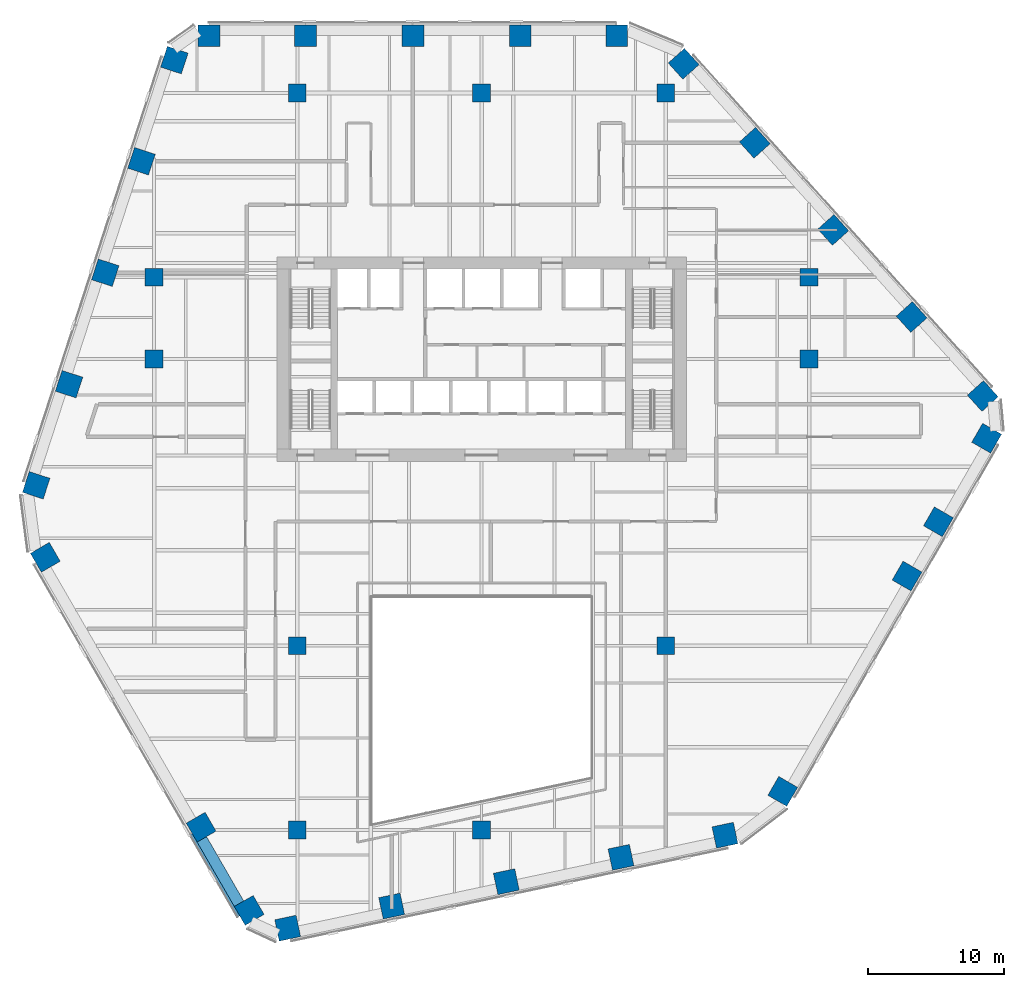
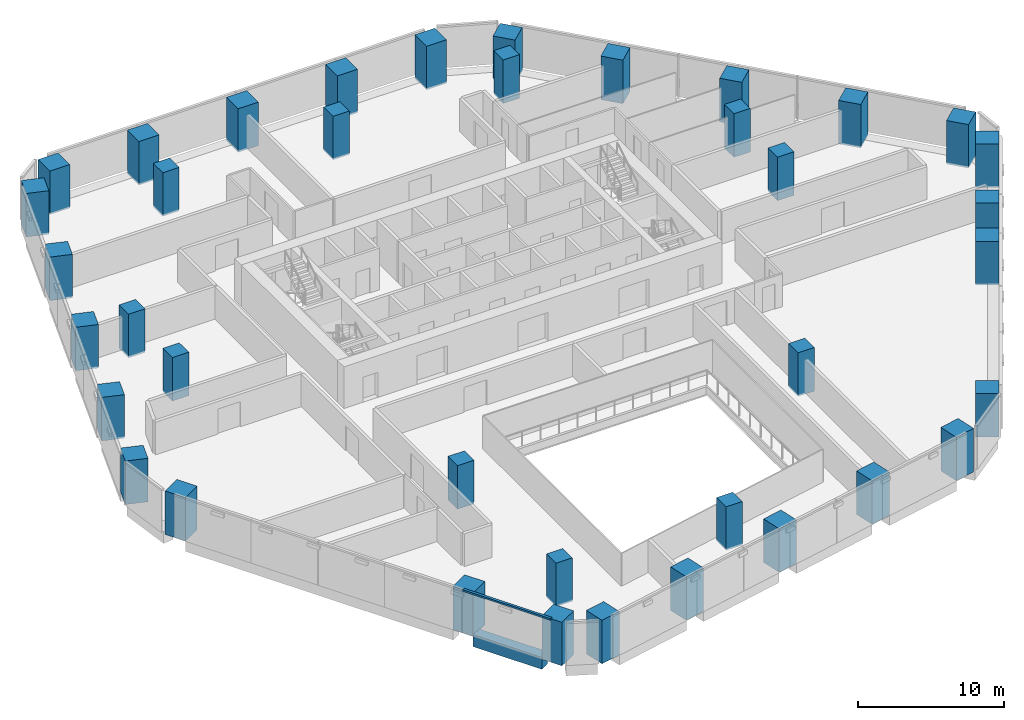
# One storey, part 1 of 21: 38 columns, 1 beam, 1 member, 1 element without a shape of its own.
"""IFC4 building model written with IfcOpenShell, lengths in metres."""

from ifc_helpers import new_model, si_unit, direction, frame, origin, origin_2d, place, context, subcontext, project, spatial, rectangle, extrude, material, layer, layer_set, material_profile, profile_set, type_object, element, aggregate, save


model = new_model("IFC4")

# Units and contexts
model_context = context("Model", 3, precision=1e-05, world=origin(), true_north=direction((0.0, 1.0)))
body_context = subcontext(model_context, "Body", "Model", "MODEL_VIEW")
ifc_project = project(units=[si_unit("LENGTHUNIT", "METRE"), si_unit("AREAUNIT", "SQUARE_METRE"), si_unit("VOLUMEUNIT", "CUBIC_METRE"), si_unit("PLANEANGLEUNIT", "RADIAN"), si_unit("MASSUNIT", "GRAM", prefix="KILO")], contexts=[model_context])

# Site, building, storey
site_placement = place(None, origin())
site = spatial("IfcSite", under=ifc_project, at=site_placement, CompositionType="ELEMENT")
building_placement = place(site_placement, origin())
building = spatial("IfcBuilding", under=site, at=building_placement, Name="Isthmus Gate Tower", CompositionType="ELEMENT")
storey_placement = place(building_placement, frame((0.0, 0.0, 109.85009765625)))
storey = spatial("IfcBuildingStorey", under=building, at=storey_placement, Name="L26", CompositionType="ELEMENT", Elevation=109.85009765625)

# Columns
ifc_material_1 = material(Name="Concrete f'c 70 MPa", Category="concrete")
ifc_material_profile_1 = material_profile(ifc_material_1, rectangle(XDim=1.300048828125, YDim=1.300048828125, at=origin_2d()), Name="RC 1300X1300")
ifc_profile_set_1 = profile_set([ifc_material_profile_1], Name="Concrete f'c 70 MPa")
column_type_1 = type_object("IfcColumnType", Name="RC INTERIOR COLUMN 1300 X 1300", PredefinedType="COLUMN", material=ifc_profile_set_1)
for number, where, z_axis, x_axis, name in (
    (1, (-24.0, 7.5, -0.150146484375), (0.0, 0.0, 1.0), (1.0, 0.0, 0.0), "str-icol-L26-ICA3"),
    (2, (-24.0, 13.5, -0.150146484375), (0.0, 0.0, 1.0), (1.0, 0.0, 0.0), "str-icol-L26-ICA4"),
    (3, (-13.5, -27.0, -0.150146484375), (0.0, 0.0, 1.0), (1.0, 0.0, 0.0), "str-icol-L26-ICB1"),
    (4, (-13.5, -13.5, -0.150146484375), (0.0, 0.0, 1.0), (1.0, 0.0, 0.0), "str-icol-L26-ICB2"),
    (5, (-13.5, 27.0, -0.150146484375), (0.0, 0.0, 1.0), (1.0, 0.0, 0.0), "str-icol-L26-ICB5"),
    (6, (0.0, -27.0, -0.150146484375), (0.0, 0.0, 1.0), (1.0, 0.0, 0.0), "str-icol-L26-ICC1"),
    (7, (0.0, 27.0, -0.150146484375), (0.0, 0.0, 1.0), (1.0, 0.0, 0.0), "str-icol-L26-ICC5"),
    (8, (13.5, -13.5, -0.150146484375), (0.0, 0.0, 1.0), (1.0, 0.0, 0.0), "str-icol-L26-ICD2"),
    (9, (13.5, 27.0, -0.150146484375), (0.0, 0.0, 1.0), (1.0, 0.0, 0.0), "str-icol-L26-ICD5"),
    (10, (24.0, 7.5, -0.150146484375), (0.0, 0.0, 1.0), (1.0, 0.0, 0.0), "str-icol-L26-ICE3"),
    (11, (24.0, 13.5, -0.150146484375), (0.0, 0.0, 1.0), (1.0, 0.0, 0.0), "str-icol-L26-ICE4"),
):
    element("IfcColumn", number, at=place(storey_placement, frame(where, z_axis=z_axis, x_axis=x_axis)), inside=storey, type_object=column_type_1, Name=name, PredefinedType="COLUMN", context=body_context, shape_type="SweptSolid", body=[
        extrude(rectangle(XDim=1.300048828125, YDim=1.300048828125, at=origin_2d()), origin(), (0.0, 0.0, 1.0), 3.650146484375),
    ])
ifc_material_2 = material(Name="Concrete f'c 70 MPa", Category="concrete")
ifc_material_profile_2 = material_profile(ifc_material_2, rectangle(XDim=1.60009765625, YDim=1.60009765625, at=origin_2d()), Name="RC 1600X1600")
ifc_profile_set_2 = profile_set([ifc_material_profile_2], Name="Concrete f'c 70 MPa")
column_type_2 = type_object("IfcColumnType", Name="RC TUBE COLUMN 1600 X 1600", PredefinedType="COLUMN", material=ifc_profile_set_2)
for number, where, z_axis, x_axis, name in (
    (12, (9.90185546875, 31.199951171875, -0.150146484375), (0.0, 0.0, 1.0), (-1.0, 0.0, 0.0), "str-tcol-L26-T1N0"),
    (13, (2.832275390625, 31.199951171875, -0.150146484375), (0.0, 0.0, 1.0), (-1.0, 0.0, 0.0), "str-tcol-L26-T1N1"),
    (14, (-5.037109375, 31.199951171875, -0.150146484375), (0.0, 0.0, 1.0), (-1.0, 0.0, 0.0), "str-tcol-L26-T1N2"),
    (15, (-12.90673828125, 31.199951171875, -0.150146484375), (0.0, 0.0, 1.0), (-1.0, 0.0, 0.0), "str-tcol-L26-T1N3"),
    (16, (-19.976318359375, 31.199951171875, -0.150146484375), (0.0, 0.0, 1.0), (-1.0, 0.0, 0.0), "str-tcol-L26-T1N4"),
    (17, (-22.515380859375, 29.406982421875, -0.150146484375), (0.0, 0.0, 1.0), (-0.309016994375, -0.951056516295, 0.0), "str-tcol-L26-T1NW0"),
    (18, (-24.922607421875, 21.998779296875, -0.150146484375), (0.0, 0.0, 1.0), (-0.309016994375, -0.951056516295, 0.0), "str-tcol-L26-T1NW1"),
    (19, (-27.57666015625, 13.829833984375, -0.150146484375), (0.0, 0.0, 1.0), (-0.309016994375, -0.951056516295, 0.0), "str-tcol-L26-T1NW2"),
    (20, (-30.23095703125, 5.660888671875, -0.150146484375), (0.0, 0.0, 1.0), (-0.309016994375, -0.951056516295, 0.0), "str-tcol-L26-T1NW3"),
    (21, (-32.63818359375, -1.747314453125, -0.150146484375), (0.0, 0.0, 1.0), (-0.309016994375, -0.951056516295, 0.0), "str-tcol-L26-T1NW4"),
    (22, (-31.970947265625, -7.024658203125, -0.150146484375), (0.0, 0.0, 1.0), (0.5, -0.866025403784, 0.0), "str-tcol-L26-T1SW0"),
    (23, (-20.5537109375, -26.800048828125, -0.150146484375), (0.0, 0.0, 1.0), (0.5, -0.866025403784, 0.0), "str-tcol-L26-T1SW2"),
    (24, (-17.031982421875, -32.89990234375, -0.150146484375), (0.0, 0.0, 1.0), (0.5, -0.866025403784, 0.0), "str-tcol-L26-T1SW3"),
    (25, (-14.20947265625, -34.202392578125, -0.150146484375), (0.0, 0.0, 1.0), (0.978147600734, 0.207911690818, 0.0), "str-tcol-L26-T1S0"),
    (26, (-6.59033203125, -32.5830078125, -0.150146484375), (0.0, 0.0, 1.0), (0.978147600734, 0.207911690818, 0.0), "str-tcol-L26-T1S1"),
    (27, (1.811279296875, -30.797119140625, -0.150146484375), (0.0, 0.0, 1.0), (0.978147600734, 0.207911690818, 0.0), "str-tcol-L26-T1S2"),
    (28, (10.213134765625, -29.01123046875, -0.150146484375), (0.0, 0.0, 1.0), (0.978147600734, 0.207911690818, 0.0), "str-tcol-L26-T1S3"),
    (29, (17.832275390625, -27.391845703125, -0.150146484375), (0.0, 0.0, 1.0), (0.978147600734, 0.207911690818, 0.0), "str-tcol-L26-T1S4"),
    (30, (22.069091796875, -24.17529296875, -0.150146484375), (0.0, 0.0, 1.0), (0.5, 0.866025403784, 0.0), "str-tcol-L26-T1SE0"),
    (31, (31.177001953125, -8.39990234375, -0.150146484375), (0.0, 0.0, 1.0), (0.5, 0.866025403784, 0.0), "str-tcol-L26-T1SE1"),
    (32, (33.473388671875, -4.42236328125, -0.150146484375), (0.0, 0.0, 1.0), (0.5, 0.866025403784, 0.0), "str-tcol-L26-T1SE2"),
    (33, (37.008056640625, 1.699951171875, -0.150146484375), (0.0, 0.0, 1.0), (0.5, 0.866025403784, 0.0), "str-tcol-L26-T1SE3"),
    (34, (36.724853515625, 4.79541015625, -0.150146484375), (0.0, 0.0, 1.0), (-0.669130606359, 0.743144825477, 0.0), "str-tcol-L26-T1NE0"),
    (35, (31.5126953125, 10.584228515625, -0.150146484375), (0.0, 0.0, 1.0), (-0.669130606359, 0.743144825477, 0.0), "str-tcol-L26-T1NE1"),
    (36, (25.765380859375, 16.96728515625, -0.150146484375), (0.0, 0.0, 1.0), (-0.669130606359, 0.743144825477, 0.0), "str-tcol-L26-T1NE2"),
    (37, (20.01806640625, 23.350341796875, -0.150146484375), (0.0, 0.0, 1.0), (-0.669130606359, 0.743144825477, 0.0), "str-tcol-L26-T1NE3"),
    (38, (14.805908203125, 29.138916015625, -0.150146484375), (0.0, 0.0, 1.0), (-0.669130606359, 0.743144825477, 0.0), "str-tcol-L26-T1NE4"),
):
    element("IfcColumn", number, at=place(storey_placement, frame(where, z_axis=z_axis, x_axis=x_axis)), inside=storey, type_object=column_type_2, Name=name, PredefinedType="COLUMN", context=body_context, shape_type="SweptSolid", body=[
        extrude(rectangle(XDim=1.60009765625, YDim=1.60009765625, at=origin_2d()), origin(), (0.0, 0.0, 1.0), 3.650146484375),
    ])

# Curtain wall, member
ifc_material_3 = material(Name="Aluminium, pale champagne anodised", Category="aluminium")
ifc_layer = layer(ifc_material_3, 0.199951171875)
ifc_layer_set = layer_set([ifc_layer], Name="CW-1 UNITISED CURTAIN WALL 200 DEEP")
curtain_wall_type = type_object("IfcCurtainWallType", Name="CW-1 UNITISED CURTAIN WALL 200 DEEP", PredefinedType="NOTDEFINED", material=ifc_layer_set)
curtain_wall_placement = place(storey_placement, origin())
curtain_wall = element("IfcCurtainWall", 39, at=curtain_wall_placement, inside=storey, type_object=curtain_wall_type, Name="CW-1 SW L26", PredefinedType="NOTDEFINED")
ifc_material_4 = material(Name="Aluminium, pale champagne anodised", Category="aluminium")
ifc_material_profile_3 = material_profile(ifc_material_4, rectangle(XDim=0.199951171875, YDim=0.14990234375, at=origin_2d()), Name="200x150")
ifc_profile_set_3 = profile_set([ifc_material_profile_3], Name="Aluminium, pale champagne anodised")
member_type = type_object("IfcMemberType", Name="CW-1 TRANSOM 200 X 150", PredefinedType="USERDEFINED", material=ifc_profile_set_3)
member_placement = place(storey_placement, frame((-21.302978515625, -27.302001953125, 3.574951171875), z_axis=(0.499996830835, -0.866027233495, 0.0), x_axis=(0.866027233495, 0.499996830835, 0.0)))
member = element("IfcMember", 40, at=member_placement, type_object=member_type, Name="CW-1 transom", ObjectType="TRANSOM", PredefinedType="USERDEFINED", context=body_context, shape_type="SweptSolid", body=[
    extrude(rectangle(XDim=0.199951171875, YDim=0.14990234375, at=origin_2d()), origin(), (0.0, 0.0, 1.0), 6.9833984375),
])
aggregate(curtain_wall, [member])

# Beam
ifc_material_5 = material(Name="Concrete f'c 70 MPa", Category="concrete")
ifc_material_profile_4 = material_profile(ifc_material_5, rectangle(XDim=0.800048828125, YDim=1.0, at=origin_2d()), Name="RC 800X1000")
ifc_profile_set_4 = profile_set([ifc_material_profile_4], Name="Concrete f'c 70 MPa")
beam_type = type_object("IfcBeamType", Name="RC SPANDREL 800 X 1000", PredefinedType="SPANDREL", material=ifc_profile_set_4)
beam_placement = place(storey_placement, frame((-17.7783203125, -32.406982421875, -0.5), z_axis=(-0.499998104561, 0.866026498114, 0.0), x_axis=(-0.866026498114, -0.499998104561, 0.0)))
element("IfcBeam", 41, at=beam_placement, inside=storey, type_object=beam_type, Name="str-spandrel-L26-15", PredefinedType="SPANDREL", context=body_context, shape_type="SweptSolid", body=[
    extrude(rectangle(XDim=0.800048828125, YDim=1.0, at=origin_2d()), origin(), (0.0, 0.0, 1.0), 5.443359375),
])

save(model, "model.ifc")
